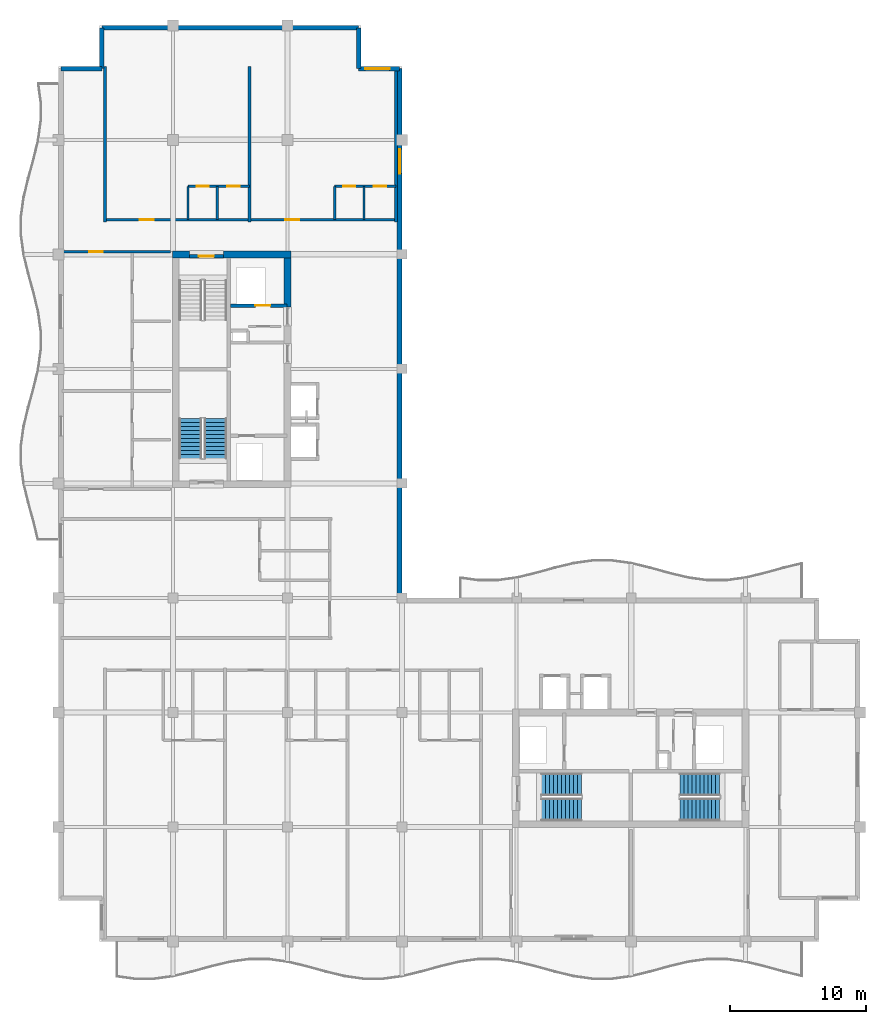
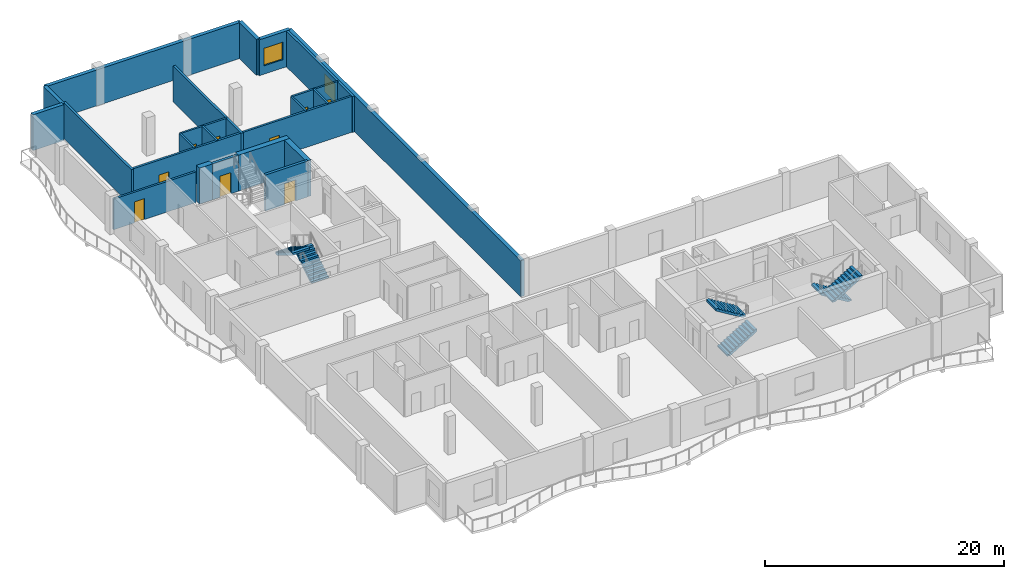
# One storey, part 6 of 10: 22 walls, 9 doors, 6 stair flights, 2 windows, 11 openings, 3 elements without a shape of their own.
"""IFC4 building model written with IfcOpenShell, lengths in metres."""

from ifc_helpers import new_model, si_unit, direction, frame, frame_2d, origin, place, context, subcontext, project, spatial, polyline, rectangle, outline, extrude, material, layer, layer_set, type_object, element, fill, aggregate, save


model = new_model("IFC4")

# Units and contexts
model_context = context("Model", 3, precision=1e-05, world=origin(), true_north=direction((0.0, 1.0)))
body_context = subcontext(model_context, "Body", "Model", "MODEL_VIEW")
ifc_project = project(units=[si_unit("LENGTHUNIT", "METRE"), si_unit("AREAUNIT", "SQUARE_METRE"), si_unit("VOLUMEUNIT", "CUBIC_METRE"), si_unit("PLANEANGLEUNIT", "RADIAN"), si_unit("MASSUNIT", "GRAM", prefix="KILO")], contexts=[model_context])

# Site, building, storey
site_placement = place(None, origin())
site = spatial("IfcSite", under=ifc_project, at=site_placement, CompositionType="ELEMENT")
building_placement = place(site_placement, origin())
building = spatial("IfcBuilding", under=site, at=building_placement, Name="Koriwani Terraces Tower", CompositionType="ELEMENT")
storey_placement = place(building_placement, frame((0.0, 0.0, 304.699951171875)))
storey = spatial("IfcBuildingStorey", under=building, at=storey_placement, Name="L75", CompositionType="ELEMENT", Elevation=304.699951171875)

# Walls
ifc_material_1 = material(Name="Concrete C50/60", Category="concrete")
ifc_layer_1 = layer(ifc_material_1, 0.5, Name="Concrete C50/60")
ifc_layer_set_1 = layer_set([ifc_layer_1], Name="Concrete C50/60")
wall_type_1 = type_object("IfcWallType", Name="WALL_CORE_RC_500", PredefinedType="SHEAR", material=ifc_layer_set_1)
wall_1_placement = place(storey_placement, frame((16.75, 58.800048828125, 0.0), z_axis=(0.0, 0.0, 1.0), x_axis=(1.0, 0.0, 0.0)))
element("IfcWall", 1, at=wall_1_placement, inside=storey, type_object=wall_type_1, Name="L75 West Split Core Shear Wall N1", PredefinedType="SHEAR", context=body_context, shape_type="SweptSolid", body=[
    extrude(rectangle(XDim=1.25, YDim=0.5, at=frame_2d((0.625, 0.0))), origin(), (0.0, 0.0, 1.0), 3.670166015625),
])
wall_2_placement = place(storey_placement, frame((20.5, 58.800048828125, 0.0), z_axis=(0.0, 0.0, 1.0), x_axis=(1.0, 0.0, 0.0)))
element("IfcWall", 2, at=wall_2_placement, inside=storey, type_object=wall_type_1, Name="L75 West Split Core Shear Wall N2", PredefinedType="SHEAR", context=body_context, shape_type="SweptSolid", body=[
    extrude(rectangle(XDim=4.949951171875, YDim=0.5, at=frame_2d((2.47509765625, 0.0))), origin(), (0.0, 0.0, 1.0), 3.670166015625),
])
wall_3_placement = place(storey_placement, frame((25.199951171875, 54.949951171875, 0.0), z_axis=(0.0, 0.0, 1.0), x_axis=(0.0, 1.0, 0.0)))
element("IfcWall", 3, at=wall_3_placement, inside=storey, type_object=wall_type_1, Name="L75 West Split Core Shear Wall E3", PredefinedType="SHEAR", context=body_context, shape_type="SweptSolid", body=[
    extrude(rectangle(XDim=3.60009765625, YDim=0.5, at=frame_2d((1.800048828125, 0.0))), origin(), (0.0, 0.0, 1.0), 3.670166015625),
])

# Wall, opening, door
ifc_material_2 = material(Name="Autoclaved Cellular Concrete Blockwork", Category="masonry")
ifc_layer_2 = layer(ifc_material_2, 0.199951171875, Name="Autoclaved Cellular Concrete Blockwork")
ifc_layer_set_2 = layer_set([ifc_layer_2], Name="Autoclaved Cellular Concrete Blockwork")
wall_type_2 = type_object("IfcWallType", Name="WALL_CORRIDOR_200", PredefinedType="PARTITIONING", material=ifc_layer_set_2)
wall_4_placement = place(storey_placement, frame((8.64990234375, 59.0, 0.0), z_axis=(0.0, 0.0, 1.0), x_axis=(1.0, 0.0, 0.0)))
wall_4 = element("IfcWall", 4, at=wall_4_placement, inside=storey, type_object=wall_type_2, Name="L75 Interior Wall WRZ4-WN-L75", PredefinedType="PARTITIONING", context=body_context, shape_type="SweptSolid", body=[
    extrude(rectangle(XDim=7.9501953125, YDim=0.199951171875, at=frame_2d((3.97509765625, 0.0))), origin(), (0.0, 0.0, 1.0), 3.126953125),
])
opening_1_placement = place(wall_4_placement, frame((2.0, 0.0, 0.0)))
opening_1 = element("IfcOpeningElement", 5, at=opening_1_placement, cuts=wall_4, Name="Opening D-05", PredefinedType="OPENING", context=body_context, shape_type="SweptSolid", body=[
    extrude(rectangle(XDim=1.0, YDim=2.14990234375, at=frame_2d((0.5, 1.074951171875))), frame((0.0, 0.10986328125, 0.0), z_axis=(0.0, -1.0, 0.0), x_axis=(1.0, 0.0, 0.0)), (0.0, 0.0, 1.0), 0.219970703125),
])
ifc_material_3 = material(Name="Architectural Oak Fire Door", Category="wood")
door_type_1 = type_object("IfcDoorType", Name="DOOR_SUITE_ENTRY_1000X2150", OperationType="NOTDEFINED", PredefinedType="DOOR", material=ifc_material_3)
door_1_placement = place(opening_1_placement, origin())
door_1 = element("IfcDoor", 6, at=door_1_placement, inside=storey, type_object=door_type_1, Name="Apartment 75RW2 Entrance Door", OperationType="SINGLE_SWING_RIGHT", OverallHeight=2.14990234375, OverallWidth=1.0, PredefinedType="DOOR", context=body_context, shape_type="SweptSolid", body=[
    extrude(rectangle(XDim=1.0, YDim=2.14990234375, at=frame_2d((0.5, 1.074951171875))), frame((0.0, 0.02490234375, 0.0), z_axis=(0.0, -1.0, 0.0), x_axis=(1.0, 0.0, 0.0)), (0.0, 0.0, 1.0), 0.050048828125),
])
fill(opening_1, door_1)

# Wall, openings, doors
wall_5_placement = place(storey_placement, frame((11.800048828125, 61.35009765625, 0.0), z_axis=(0.0, 0.0, 1.0), x_axis=(1.0, 0.0, 0.0)))
wall_5 = element("IfcWall", 7, at=wall_5_placement, inside=storey, type_object=wall_type_2, Name="L75 Interior Wall WRCOR-L75-NTS-0", PredefinedType="PARTITIONING", context=body_context, shape_type="SweptSolid", body=[
    extrude(rectangle(XDim=21.349853515625, YDim=0.199951171875, at=frame_2d((10.6748046875, 0.0))), origin(), (0.0, 0.0, 1.0), 3.670166015625),
])
opening_2_placement = place(wall_5_placement, frame((2.570068359375, 0.0, 0.0)))
opening_2 = element("IfcOpeningElement", 8, at=opening_2_placement, cuts=wall_5, Name="Opening D-05", PredefinedType="OPENING", context=body_context, shape_type="SweptSolid", body=[
    extrude(rectangle(XDim=1.0, YDim=2.14990234375, at=frame_2d((0.5, 1.074951171875))), frame((0.0, 0.10986328125, 0.0), z_axis=(0.0, -1.0, 0.0), x_axis=(1.0, 0.0, 0.0)), (0.0, 0.0, 1.0), 0.219970703125),
])
opening_3_placement = place(wall_5_placement, frame((13.2451171875, 0.0, 0.0)))
opening_3 = element("IfcOpeningElement", 9, at=opening_3_placement, cuts=wall_5, Name="Opening D-05", PredefinedType="OPENING", context=body_context, shape_type="SweptSolid", body=[
    extrude(rectangle(XDim=1.0, YDim=2.14990234375, at=frame_2d((0.5, 1.074951171875))), frame((0.0, 0.10986328125, 0.0), z_axis=(0.0, -1.0, 0.0), x_axis=(1.0, 0.0, 0.0)), (0.0, 0.0, 1.0), 0.219970703125),
])
door_2_placement = place(opening_2_placement, origin())
door_2 = element("IfcDoor", 10, at=door_2_placement, inside=storey, type_object=door_type_1, Name="Apartment 75NTS1 Entrance Door", OperationType="SINGLE_SWING_LEFT", OverallHeight=2.14990234375, OverallWidth=1.0, PredefinedType="DOOR", context=body_context, shape_type="SweptSolid", body=[
    extrude(rectangle(XDim=1.0, YDim=2.14990234375, at=frame_2d((0.5, 1.074951171875))), frame((0.0, 0.02490234375, 0.0), z_axis=(0.0, -1.0, 0.0), x_axis=(1.0, 0.0, 0.0)), (0.0, 0.0, 1.0), 0.050048828125),
])
fill(opening_2, door_2)
door_3_placement = place(opening_3_placement, origin())
door_3 = element("IfcDoor", 11, at=door_3_placement, inside=storey, type_object=door_type_1, Name="Apartment 75NTS2 Entrance Door", OperationType="SINGLE_SWING_RIGHT", OverallHeight=2.14990234375, OverallWidth=1.0, PredefinedType="DOOR", context=body_context, shape_type="SweptSolid", body=[
    extrude(rectangle(XDim=1.0, YDim=2.14990234375, at=frame_2d((0.5, 1.074951171875))), frame((0.0, 0.02490234375, 0.0), z_axis=(0.0, -1.0, 0.0), x_axis=(1.0, 0.0, 0.0)), (0.0, 0.0, 1.0), 0.050048828125),
])
fill(opening_3, door_3)

# Walls
ifc_layer_3 = layer(ifc_material_2, 0.219970703125, Name="Autoclaved Cellular Concrete Blockwork")
ifc_layer_set_3 = layer_set([ifc_layer_3], Name="Autoclaved Cellular Concrete Blockwork")
wall_type_3 = type_object("IfcWallType", Name="WALL_DEMISING_220", PredefinedType="PARTITIONING", material=ifc_layer_set_3)
for number, where, z_axis, x_axis, name in (
    (12, (11.800048828125, 61.199951171875, 0.0), (0.0, 0.0, 1.0), (0.0, 1.0, 0.0), "L75 Interior Wall WRDEM-L75-NTS-0"),
    (13, (22.39990234375, 61.199951171875, 0.0), (0.0, 0.0, 1.0), (0.0, 1.0, 0.0), "L75 Interior Wall WRDEM-L75-NTS-1"),
    (14, (33.14990234375, 61.199951171875, 0.0), (0.0, 0.0, 1.0), (0.0, 1.0, 0.0), "L75 Interior Wall WRDEME-L75-NTS"),
):
    element("IfcWall", number, at=place(storey_placement, frame(where, z_axis=z_axis, x_axis=x_axis)), inside=storey, type_object=wall_type_3, Name=name, PredefinedType="PARTITIONING", context=body_context, shape_type="SweptSolid", body=[
        extrude(rectangle(XDim=11.380126953125, YDim=0.219970703125, at=frame_2d((5.68994140625, 0.0))), origin(), (0.0, 0.0, 1.0), 3.670166015625),
    ])
ifc_layer_4 = layer(ifc_material_1, 0.35009765625, Name="Concrete C50/60")
ifc_layer_set_4 = layer_set([ifc_layer_4], Name="Concrete C50/60")
wall_type_4 = type_object("IfcWallType", Name="WALL_EXT_BRUTALIST_350", PredefinedType="STANDARD", material=ifc_layer_set_4)
for number, where, z_axis, x_axis, name in (
    (15, (8.574951171875, 72.425048828125, 0.0), (0.0, 0.0, 1.0), (1.0, 0.0, 0.0), "L75 Fair-Faced Brutalist Exterior Wall (N3)"),
    (16, (11.574951171875, 72.425048828125, 0.0), (0.0, 0.0, 1.0), (0.0, 1.0, 0.0), "L75 Fair-Faced Brutalist Exterior Wall (N4)"),
):
    element("IfcWall", number, at=place(storey_placement, frame(where, z_axis=z_axis, x_axis=x_axis)), inside=storey, type_object=wall_type_4, Name=name, PredefinedType="STANDARD", context=body_context, shape_type="SweptSolid", body=[
        extrude(rectangle(XDim=3.0, YDim=0.35009765625, at=frame_2d((1.5, 0.0))), origin(), (0.0, 0.0, 1.0), 3.670166015625),
    ])
wall_6_placement = place(storey_placement, frame((11.574951171875, 75.425048828125, 0.0), z_axis=(0.0, 0.0, 1.0), x_axis=(1.0, 0.0, 0.0)))
element("IfcWall", 17, at=wall_6_placement, inside=storey, type_object=wall_type_4, Name="L75 Fair-Faced Brutalist Exterior Wall (N_TIP)", PredefinedType="STANDARD", context=body_context, shape_type="SweptSolid", body=[
    extrude(rectangle(XDim=18.85009765625, YDim=0.35009765625, at=frame_2d((9.425048828125, 0.0))), origin(), (0.0, 0.0, 1.0), 3.670166015625),
])
wall_7_placement = place(storey_placement, frame((30.425048828125, 75.425048828125, 0.0), z_axis=(0.0, 0.0, 1.0), x_axis=(0.0, -1.0, 0.0)))
element("IfcWall", 18, at=wall_7_placement, inside=storey, type_object=wall_type_4, Name="L75 Fair-Faced Brutalist Exterior Wall (N6)", PredefinedType="STANDARD", context=body_context, shape_type="SweptSolid", body=[
    extrude(rectangle(XDim=3.0, YDim=0.35009765625, at=frame_2d((1.5, 0.0))), origin(), (0.0, 0.0, 1.0), 3.670166015625),
])

# Wall, opening, window
wall_8_placement = place(storey_placement, frame((30.425048828125, 72.425048828125, 0.0), z_axis=(0.0, 0.0, 1.0), x_axis=(1.0, 0.0, 0.0)))
wall_8 = element("IfcWall", 19, at=wall_8_placement, inside=storey, type_object=wall_type_4, Name="L75 Fair-Faced Brutalist Exterior Wall (N7)", PredefinedType="STANDARD", context=body_context, shape_type="SweptSolid", body=[
    extrude(rectangle(XDim=3.0, YDim=0.35009765625, at=frame_2d((1.5, 0.0))), origin(), (0.0, 0.0, 1.0), 3.670166015625),
])
opening_4_placement = place(wall_8_placement, frame((0.472412109375, 0.0, 0.85009765625)))
opening_4 = element("IfcOpeningElement", 20, at=opening_4_placement, cuts=wall_8, Name="Opening W-04", PredefinedType="OPENING", context=body_context, shape_type="SweptSolid", body=[
    extrude(rectangle(XDim=1.800048828125, YDim=1.800048828125, at=frame_2d((0.89990234375, 0.89990234375))), frame((0.0, 0.18505859375, 0.0), z_axis=(0.0, -1.0, 0.0), x_axis=(1.0, 0.0, 0.0)), (0.0, 0.0, 1.0), 0.3701171875),
])
ifc_material_4 = material(Name="Tempered Laminated Low-E Glass", Category="glass")
window_type = type_object("IfcWindowType", Name="WIN_RES_BED_1800X1800", PartitioningType="DOUBLE_PANEL_VERTICAL", PredefinedType="WINDOW", material=ifc_material_4)
window_1_placement = place(opening_4_placement, origin())
window_1 = element("IfcWindow", 21, at=window_1_placement, inside=storey, type_object=window_type, Name="L75 Exterior Window (N7-R46)", OverallHeight=1.800048828125, OverallWidth=1.800048828125, PartitioningType="SINGLE_PANEL", PredefinedType="WINDOW", context=body_context, shape_type="SweptSolid", body=[
    extrude(rectangle(XDim=1.800048828125, YDim=1.800048828125, at=frame_2d((0.89990234375, 0.89990234375))), frame((0.0, 0.030029296875, 0.0), z_axis=(0.0, -1.0, 0.0), x_axis=(1.0, 0.0, 0.0)), (0.0, 0.0, 1.0), 0.06005859375),
])
fill(opening_4, window_1)

wall_9_placement = place(storey_placement, frame((33.425048828125, 72.425048828125, 0.0), z_axis=(0.0, 0.0, 1.0), x_axis=(0.0, -1.0, 0.0)))
wall_9 = element("IfcWall", 22, at=wall_9_placement, inside=storey, type_object=wall_type_4, Name="L75 Fair-Faced Brutalist Exterior Wall (NW_IN)", PredefinedType="STANDARD", context=body_context, shape_type="SweptSolid", body=[
    extrude(rectangle(XDim=39.0, YDim=0.35009765625, at=frame_2d((19.5, 0.0))), origin(), (0.0, 0.0, 1.0), 3.670166015625),
])
opening_5_placement = place(wall_9_placement, frame((5.89990234375, 0.0, 0.85009765625)))
opening_5 = element("IfcOpeningElement", 23, at=opening_5_placement, cuts=wall_9, Name="Opening W-04", PredefinedType="OPENING", context=body_context, shape_type="SweptSolid", body=[
    extrude(rectangle(XDim=1.800048828125, YDim=1.800048828125, at=frame_2d((0.89990234375, 0.89990234375))), frame((0.0, 0.18505859375, 0.0), z_axis=(0.0, -1.0, 0.0), x_axis=(1.0, 0.0, 0.0)), (0.0, 0.0, 1.0), 0.3701171875),
])
window_2_placement = place(opening_5_placement, origin())
window_2 = element("IfcWindow", 24, at=window_2_placement, inside=storey, type_object=window_type, Name="L75 Exterior Window (NW_IN-R46)", OverallHeight=1.800048828125, OverallWidth=1.800048828125, PartitioningType="SINGLE_PANEL", PredefinedType="WINDOW", context=body_context, shape_type="SweptSolid", body=[
    extrude(rectangle(XDim=1.800048828125, YDim=1.800048828125, at=frame_2d((0.89990234375, 0.89990234375))), frame((0.0, 0.030029296875, 0.0), z_axis=(0.0, -1.0, 0.0), x_axis=(1.0, 0.0, 0.0)), (0.0, 0.0, 1.0), 0.06005859375),
])
fill(opening_5, window_2)

# Wall, openings, doors
ifc_material_5 = material(Name="Fire-Rated Acoustic Gypsum Partition", Category="masonry")
ifc_layer_5 = layer(ifc_material_5, 0.179931640625, Name="Fire-Rated Acoustic Gypsum Partition")
ifc_layer_set_5 = layer_set([ifc_layer_5], Name="Fire-Rated Acoustic Gypsum Partition")
wall_type_5 = type_object("IfcWallType", Name="WALL_PLUMBING_180", PredefinedType="PLUMBINGWALL", material=ifc_layer_set_5)
wall_10_placement = place(storey_placement, frame((17.89990234375, 63.800048828125, 0.0), z_axis=(0.0, 0.0, 1.0), x_axis=(1.0, 0.0, 0.0)))
wall_10 = element("IfcWall", 25, at=wall_10_placement, inside=storey, type_object=wall_type_5, Name="L75 Interior Wall WRSVC-L75-NTS-0", PredefinedType="PLUMBINGWALL", context=body_context, shape_type="SweptSolid", body=[
    extrude(rectangle(XDim=4.5, YDim=0.179931640625, at=frame_2d((2.25, 0.0))), origin(), (0.0, 0.0, 1.0), 3.670166015625),
])
opening_6_placement = place(wall_10_placement, frame((0.6298828125, 0.0, 0.0)))
opening_6 = element("IfcOpeningElement", 26, at=opening_6_placement, cuts=wall_10, Name="Opening D-07", PredefinedType="OPENING", context=body_context, shape_type="SweptSolid", body=[
    extrude(rectangle(XDim=0.89990234375, YDim=2.10009765625, at=frame_2d((0.449951171875, 1.050048828125))), frame((0.0, 0.10009765625, 0.0), z_axis=(0.0, -1.0, 0.0), x_axis=(1.0, 0.0, 0.0)), (0.0, 0.0, 1.0), 0.199951171875),
])
opening_7_placement = place(wall_10_placement, frame((2.8701171875, 0.0, 0.0)))
opening_7 = element("IfcOpeningElement", 27, at=opening_7_placement, cuts=wall_10, Name="Opening D-06", PredefinedType="OPENING", context=body_context, shape_type="SweptSolid", body=[
    extrude(rectangle(XDim=0.919921875, YDim=2.10009765625, at=frame_2d((0.4599609375, 1.050048828125))), frame((0.0, 0.10009765625, 0.0), z_axis=(0.0, -1.0, 0.0), x_axis=(1.0, 0.0, 0.0)), (0.0, 0.0, 1.0), 0.199951171875),
])
door_type_2 = type_object("IfcDoorType", Name="DOOR_BATH_INT_900X2100", OperationType="NOTDEFINED", PredefinedType="DOOR", material=ifc_material_3)
door_4_placement = place(opening_6_placement, origin())
door_4 = element("IfcDoor", 28, at=door_4_placement, inside=storey, type_object=door_type_2, Name="Apartment 75NTS1 Bathroom Door", OperationType="SINGLE_SWING_RIGHT", OverallHeight=2.10009765625, OverallWidth=0.89990234375, PredefinedType="DOOR", context=body_context, shape_type="SweptSolid", body=[
    extrude(rectangle(XDim=0.89990234375, YDim=2.10009765625, at=frame_2d((0.449951171875, 1.050048828125))), frame((0.0, 0.02490234375, 0.0), z_axis=(0.0, -1.0, 0.0), x_axis=(1.0, 0.0, 0.0)), (0.0, 0.0, 1.0), 0.050048828125),
])
fill(opening_6, door_4)
door_type_3 = type_object("IfcDoorType", Name="DOOR_ROOM_INT_920X2100", OperationType="NOTDEFINED", PredefinedType="DOOR", material=ifc_material_3)
door_5_placement = place(opening_7_placement, origin())
door_5 = element("IfcDoor", 29, at=door_5_placement, inside=storey, type_object=door_type_3, Name="Apartment 75NTS1 Kitchen Door", OperationType="SINGLE_SWING_LEFT", OverallHeight=2.10009765625, OverallWidth=0.919921875, PredefinedType="DOOR", context=body_context, shape_type="SweptSolid", body=[
    extrude(rectangle(XDim=0.919921875, YDim=2.10009765625, at=frame_2d((0.4599609375, 1.050048828125))), frame((0.0, 0.02490234375, 0.0), z_axis=(0.0, -1.0, 0.0), x_axis=(1.0, 0.0, 0.0)), (0.0, 0.0, 1.0), 0.050048828125),
])
fill(opening_7, door_5)

# Walls
for number, where, z_axis, x_axis, name in (
    (30, (17.89990234375, 61.35009765625, 0.0), (0.0, 0.0, 1.0), (0.0, 1.0, 0.0), "L75 Interior Wall WRSVCS-L75-NTS-0"),
    (31, (20.06005859375, 61.35009765625, 0.0), (0.0, 0.0, 1.0), (0.0, 1.0, 0.0), "L75 Interior Wall WRSVCM-L75-NTS-0"),
):
    element("IfcWall", number, at=place(storey_placement, frame(where, z_axis=z_axis, x_axis=x_axis)), inside=storey, type_object=wall_type_5, Name=name, PredefinedType="PLUMBINGWALL", context=body_context, shape_type="SweptSolid", body=[
        extrude(rectangle(XDim=2.449951171875, YDim=0.179931640625, at=frame_2d((1.22509765625, 0.0))), origin(), (0.0, 0.0, 1.0), 3.670166015625),
    ])

# Wall, openings, doors
wall_11_placement = place(storey_placement, frame((28.64990234375, 63.800048828125, 0.0), z_axis=(0.0, 0.0, 1.0), x_axis=(1.0, 0.0, 0.0)))
wall_11 = element("IfcWall", 32, at=wall_11_placement, inside=storey, type_object=wall_type_5, Name="L75 Interior Wall WRSVC-L75-NTS-1", PredefinedType="PLUMBINGWALL", context=body_context, shape_type="SweptSolid", body=[
    extrude(rectangle(XDim=4.5, YDim=0.179931640625, at=frame_2d((2.25, 0.0))), origin(), (0.0, 0.0, 1.0), 3.670166015625),
])
opening_8_placement = place(wall_11_placement, frame((0.6298828125, 0.0, 0.0)))
opening_8 = element("IfcOpeningElement", 33, at=opening_8_placement, cuts=wall_11, Name="Opening D-07", PredefinedType="OPENING", context=body_context, shape_type="SweptSolid", body=[
    extrude(rectangle(XDim=0.89990234375, YDim=2.10009765625, at=frame_2d((0.449951171875, 1.050048828125))), frame((0.0, 0.10009765625, 0.0), z_axis=(0.0, -1.0, 0.0), x_axis=(1.0, 0.0, 0.0)), (0.0, 0.0, 1.0), 0.199951171875),
])
opening_9_placement = place(wall_11_placement, frame((2.8701171875, 0.0, 0.0)))
opening_9 = element("IfcOpeningElement", 34, at=opening_9_placement, cuts=wall_11, Name="Opening D-06", PredefinedType="OPENING", context=body_context, shape_type="SweptSolid", body=[
    extrude(rectangle(XDim=0.919921875, YDim=2.10009765625, at=frame_2d((0.4599609375, 1.050048828125))), frame((0.0, 0.10009765625, 0.0), z_axis=(0.0, -1.0, 0.0), x_axis=(1.0, 0.0, 0.0)), (0.0, 0.0, 1.0), 0.199951171875),
])
door_6_placement = place(opening_8_placement, origin())
door_6 = element("IfcDoor", 35, at=door_6_placement, inside=storey, type_object=door_type_2, Name="Apartment 75NTS2 Bathroom Door", OperationType="SINGLE_SWING_LEFT", OverallHeight=2.10009765625, OverallWidth=0.89990234375, PredefinedType="DOOR", context=body_context, shape_type="SweptSolid", body=[
    extrude(rectangle(XDim=0.89990234375, YDim=2.10009765625, at=frame_2d((0.449951171875, 1.050048828125))), frame((0.0, 0.02490234375, 0.0), z_axis=(0.0, -1.0, 0.0), x_axis=(1.0, 0.0, 0.0)), (0.0, 0.0, 1.0), 0.050048828125),
])
fill(opening_8, door_6)
door_7_placement = place(opening_9_placement, origin())
door_7 = element("IfcDoor", 36, at=door_7_placement, inside=storey, type_object=door_type_3, Name="Apartment 75NTS2 Kitchen Door", OperationType="SINGLE_SWING_RIGHT", OverallHeight=2.10009765625, OverallWidth=0.919921875, PredefinedType="DOOR", context=body_context, shape_type="SweptSolid", body=[
    extrude(rectangle(XDim=0.919921875, YDim=2.10009765625, at=frame_2d((0.4599609375, 1.050048828125))), frame((0.0, 0.02490234375, 0.0), z_axis=(0.0, -1.0, 0.0), x_axis=(1.0, 0.0, 0.0)), (0.0, 0.0, 1.0), 0.050048828125),
])
fill(opening_9, door_7)

# Walls
for number, where, z_axis, x_axis, name in (
    (37, (28.64990234375, 61.35009765625, 0.0), (0.0, 0.0, 1.0), (0.0, 1.0, 0.0), "L75 Interior Wall WRSVCS-L75-NTS-1"),
    (38, (30.81005859375, 61.35009765625, 0.0), (0.0, 0.0, 1.0), (0.0, 1.0, 0.0), "L75 Interior Wall WRSVCM-L75-NTS-1"),
):
    element("IfcWall", number, at=place(storey_placement, frame(where, z_axis=z_axis, x_axis=x_axis)), inside=storey, type_object=wall_type_5, Name=name, PredefinedType="PLUMBINGWALL", context=body_context, shape_type="SweptSolid", body=[
        extrude(rectangle(XDim=2.449951171875, YDim=0.179931640625, at=frame_2d((1.22509765625, 0.0))), origin(), (0.0, 0.0, 1.0), 3.670166015625),
    ])

# Wall, opening, door
ifc_material_6 = material(Name="Concrete C40/50", Category="concrete")
ifc_layer_6 = layer(ifc_material_6, 0.25, Name="Concrete C40/50")
ifc_layer_set_6 = layer_set([ifc_layer_6], Name="Concrete C40/50")
wall_type_6 = type_object("IfcWallType", Name="WALL_SHAFT_RATED_250", PredefinedType="SOLIDWALL", material=ifc_layer_set_6)
wall_12_placement = place(storey_placement, frame((18.0, 58.675048828125, 0.0), z_axis=(0.0, 0.0, 1.0), x_axis=(1.0, 0.0, 0.0)))
wall_12 = element("IfcWall", 39, at=wall_12_placement, inside=storey, type_object=wall_type_6, Name="L75 Interior Wall WIN-CW-L75-STN", PredefinedType="SOLIDWALL", context=body_context, shape_type="SweptSolid", body=[
    extrude(rectangle(XDim=2.5, YDim=0.25, at=frame_2d((1.25, 0.0))), origin(), (0.0, 0.0, 1.0), 3.670166015625),
])
opening_10_placement = place(wall_12_placement, frame((0.699951171875, 0.0, 0.0)))
opening_10 = element("IfcOpeningElement", 40, at=opening_10_placement, cuts=wall_12, Name="Opening D-03", PredefinedType="OPENING", context=body_context, shape_type="SweptSolid", body=[
    extrude(rectangle(XDim=1.10009765625, YDim=2.14990234375, at=frame_2d((0.550048828125, 1.074951171875))), frame((0.0, 0.135009765625, 0.0), z_axis=(0.0, -1.0, 0.0), x_axis=(1.0, 0.0, 0.0)), (0.0, 0.0, 1.0), 0.27001953125),
])
ifc_material_7 = material(Name="Steel ASTM A572 Grade 50", Category="steel")
door_type_4 = type_object("IfcDoorType", Name="DOOR_STAIR_FIRE_1100X2150", OperationType="NOTDEFINED", PredefinedType="DOOR", material=ifc_material_7)
door_8_placement = place(opening_10_placement, origin())
door_8 = element("IfcDoor", 41, at=door_8_placement, inside=storey, type_object=door_type_4, Name="L75 Exit Stair ST-W2 Door", OperationType="SINGLE_SWING_RIGHT", OverallHeight=2.14990234375, OverallWidth=1.10009765625, PredefinedType="DOOR", context=body_context, shape_type="SweptSolid", body=[
    extrude(rectangle(XDim=1.10009765625, YDim=2.14990234375, at=frame_2d((0.550048828125, 1.074951171875))), frame((0.0, 0.02490234375, 0.0), z_axis=(0.0, -1.0, 0.0), x_axis=(1.0, 0.0, 0.0)), (0.0, 0.0, 1.0), 0.050048828125),
])
fill(opening_10, door_8)

wall_13_placement = place(storey_placement, frame((21.0, 55.050048828125, 0.0), z_axis=(0.0, 0.0, 1.0), x_axis=(1.0, 0.0, 0.0)))
wall_13 = element("IfcWall", 42, at=wall_13_placement, inside=storey, type_object=wall_type_6, Name="L75 Interior Wall WIN-CW-L75-SE", PredefinedType="SOLIDWALL", context=body_context, shape_type="SweptSolid", body=[
    extrude(rectangle(XDim=4.14990234375, YDim=0.25, at=frame_2d((2.074951171875, 0.0))), origin(), (0.0, 0.0, 1.0), 3.670166015625),
])
opening_11_placement = place(wall_13_placement, frame((1.85009765625, 0.0, 0.0)))
opening_11 = element("IfcOpeningElement", 43, at=opening_11_placement, cuts=wall_13, Name="Opening LD-01", PredefinedType="OPENING", context=body_context, shape_type="SweptSolid", body=[
    extrude(rectangle(XDim=1.10009765625, YDim=2.14990234375, at=frame_2d((0.550048828125, 1.074951171875))), frame((0.0, 0.135009765625, 0.0), z_axis=(0.0, -1.0, 0.0), x_axis=(1.0, 0.0, 0.0)), (0.0, 0.0, 1.0), 0.27001953125),
])
door_type_5 = type_object("IfcDoorType", Name="DOOR_LIFT_LANDING_1100X2200", OperationType="NOTDEFINED", PredefinedType="DOOR", material=ifc_material_7)
door_9_placement = place(opening_11_placement, origin())
door_9 = element("IfcDoor", 44, at=door_9_placement, inside=storey, type_object=door_type_5, Name="L75 Goods Lift SE-01 Landing Door", OperationType="SLIDING_TO_LEFT", OverallHeight=2.14990234375, OverallWidth=1.10009765625, PredefinedType="DOOR", context=body_context, shape_type="SweptSolid", body=[
    extrude(rectangle(XDim=1.10009765625, YDim=2.14990234375, at=frame_2d((0.550048828125, 1.074951171875))), frame((0.0, 0.02490234375, 0.0), z_axis=(0.0, -1.0, 0.0), x_axis=(1.0, 0.0, 0.0)), (0.0, 0.0, 1.0), 0.050048828125),
])
fill(opening_11, door_9)

# Stair, stair flights
stair_type = type_object("IfcStairType", Name="STAIR_CORE_DOGLEG_1650", PredefinedType="TWO_STRAIGHT_RUN_STAIR", material=ifc_material_6)
stair_1_placement = place(storey_placement, origin())
stair_1 = element("IfcStair", 45, at=stair_1_placement, inside=storey, type_object=stair_type, Name="L75 West Core Exit Stair 1", PredefinedType="HALF_TURN_STAIR")
stair_flight_type = type_object("IfcStairFlightType", Name="STAIR_FLIGHT_RC_1650", PredefinedType="STRAIGHT", material=ifc_material_6)
stair_flight_1_placement = place(storey_placement, frame((19.925048828125, 43.85009765625, 0.0), z_axis=(0.0, 0.0, 1.0), x_axis=(0.0, 1.0, 0.0)))
stair_flight_1 = element("IfcStairFlight", 46, at=stair_flight_1_placement, type_object=stair_flight_type, Name="ST-W1 flight 1", NumberOfRisers=11, NumberOfTreads=10, PredefinedType="STRAIGHT", RiserHeight=0.177272727, TreadLength=0.29, context=body_context, shape_type="SweptSolid", body=[
    extrude(outline(polyline([(0.0, 0.0), (0.0, 0.17724609375), (0.2900390625, 0.17724609375), (0.2900390625, 0.3544921875), (0.580078125, 0.3544921875), (0.580078125, 0.53173828125), (0.8701171875, 0.53173828125), (0.8701171875, 0.708984375), (1.159912109375, 0.708984375), (1.159912109375, 0.886474609375), (1.449951171875, 0.886474609375), (1.449951171875, 1.063720703125), (1.739990234375, 1.063720703125), (1.739990234375, 1.240966796875), (2.030029296875, 1.240966796875), (2.030029296875, 1.418212890625), (2.320068359375, 1.418212890625), (2.320068359375, 1.595458984375), (2.610107421875, 1.595458984375), (2.610107421875, 1.772705078125), (2.89990234375, 1.772705078125), (2.89990234375, 1.949951171875), (2.89990234375, 1.561767578125), (0.344970703125, 0.0), (0.0, 0.0)])), frame((0.0, 0.824951171875, 0.0), z_axis=(0.0, -1.0, 0.0), x_axis=(1.0, 0.0, 0.0)), (0.0, 0.0, 1.0), 1.64990234375),
])
stair_flight_2_placement = place(storey_placement, frame((18.074951171875, 46.75, 1.949951171875), z_axis=(0.0, 0.0, 1.0), x_axis=(0.0, -1.0, 0.0)))
stair_flight_2 = element("IfcStairFlight", 47, at=stair_flight_2_placement, type_object=stair_flight_type, Name="ST-W1 flight 2", NumberOfRisers=11, NumberOfTreads=10, PredefinedType="STRAIGHT", RiserHeight=0.177272727, TreadLength=0.29, context=body_context, shape_type="SweptSolid", body=[
    extrude(outline(polyline([(0.0, 0.0), (0.0, 0.17724609375), (0.2900390625, 0.17724609375), (0.2900390625, 0.3544921875), (0.580078125, 0.3544921875), (0.580078125, 0.53173828125), (0.8701171875, 0.53173828125), (0.8701171875, 0.708984375), (1.159912109375, 0.708984375), (1.159912109375, 0.886474609375), (1.449951171875, 0.886474609375), (1.449951171875, 1.063720703125), (1.739990234375, 1.063720703125), (1.739990234375, 1.240966796875), (2.030029296875, 1.240966796875), (2.030029296875, 1.418212890625), (2.320068359375, 1.418212890625), (2.320068359375, 1.595458984375), (2.610107421875, 1.595458984375), (2.610107421875, 1.772705078125), (2.89990234375, 1.772705078125), (2.89990234375, 1.949951171875), (2.89990234375, 1.561767578125), (0.344970703125, 0.0), (0.0, 0.0)])), frame((0.0, 0.824951171875, 0.0), z_axis=(0.0, -1.0, 0.0), x_axis=(1.0, 0.0, 0.0)), (0.0, 0.0, 1.0), 1.64990234375),
])
aggregate(stair_1, [stair_flight_1, stair_flight_2])

stair_2_placement = place(storey_placement, origin())
stair_2 = element("IfcStair", 48, at=stair_2_placement, inside=storey, type_object=stair_type, Name="L75 East Core Exit Stair 1", PredefinedType="HALF_TURN_STAIR")
stair_flight_3_placement = place(storey_placement, frame((43.85009765625, 18.074951171875, 0.0), z_axis=(0.0, 0.0, 1.0), x_axis=(1.0, 0.0, 0.0)))
stair_flight_3 = element("IfcStairFlight", 49, at=stair_flight_3_placement, type_object=stair_flight_type, Name="ST-E1 flight 1", NumberOfRisers=11, NumberOfTreads=10, PredefinedType="STRAIGHT", RiserHeight=0.177272727, TreadLength=0.29, context=body_context, shape_type="SweptSolid", body=[
    extrude(outline(polyline([(0.0, 0.0), (0.0, 0.17724609375), (0.2900390625, 0.17724609375), (0.2900390625, 0.3544921875), (0.580078125, 0.3544921875), (0.580078125, 0.53173828125), (0.8701171875, 0.53173828125), (0.8701171875, 0.708984375), (1.159912109375, 0.708984375), (1.159912109375, 0.886474609375), (1.449951171875, 0.886474609375), (1.449951171875, 1.063720703125), (1.739990234375, 1.063720703125), (1.739990234375, 1.240966796875), (2.030029296875, 1.240966796875), (2.030029296875, 1.418212890625), (2.320068359375, 1.418212890625), (2.320068359375, 1.595458984375), (2.610107421875, 1.595458984375), (2.610107421875, 1.772705078125), (2.89990234375, 1.772705078125), (2.89990234375, 1.949951171875), (2.89990234375, 1.561767578125), (0.344970703125, 0.0), (0.0, 0.0)])), frame((0.0, 0.824951171875, 0.0), z_axis=(0.0, -1.0, 0.0), x_axis=(1.0, 0.0, 0.0)), (0.0, 0.0, 1.0), 1.64990234375),
])
stair_flight_4_placement = place(storey_placement, frame((46.75, 19.925048828125, 1.949951171875), z_axis=(0.0, 0.0, 1.0), x_axis=(-1.0, 0.0, 0.0)))
stair_flight_4 = element("IfcStairFlight", 50, at=stair_flight_4_placement, type_object=stair_flight_type, Name="ST-E1 flight 2", NumberOfRisers=11, NumberOfTreads=10, PredefinedType="STRAIGHT", RiserHeight=0.177272727, TreadLength=0.29, context=body_context, shape_type="SweptSolid", body=[
    extrude(outline(polyline([(0.0, 0.0), (0.0, 0.17724609375), (0.2900390625, 0.17724609375), (0.2900390625, 0.3544921875), (0.580078125, 0.3544921875), (0.580078125, 0.53173828125), (0.8701171875, 0.53173828125), (0.8701171875, 0.708984375), (1.159912109375, 0.708984375), (1.159912109375, 0.886474609375), (1.449951171875, 0.886474609375), (1.449951171875, 1.063720703125), (1.739990234375, 1.063720703125), (1.739990234375, 1.240966796875), (2.030029296875, 1.240966796875), (2.030029296875, 1.418212890625), (2.320068359375, 1.418212890625), (2.320068359375, 1.595458984375), (2.610107421875, 1.595458984375), (2.610107421875, 1.772705078125), (2.89990234375, 1.772705078125), (2.89990234375, 1.949951171875), (2.89990234375, 1.561767578125), (0.344970703125, 0.0), (0.0, 0.0)])), frame((0.0, 0.824951171875, 0.0), z_axis=(0.0, -1.0, 0.0), x_axis=(1.0, 0.0, 0.0)), (0.0, 0.0, 1.0), 1.64990234375),
])
aggregate(stair_2, [stair_flight_3, stair_flight_4])

stair_3_placement = place(storey_placement, origin())
stair_3 = element("IfcStair", 51, at=stair_3_placement, inside=storey, type_object=stair_type, Name="L75 East Core Exit Stair 2", PredefinedType="HALF_TURN_STAIR")
stair_flight_5_placement = place(storey_placement, frame((56.89990234375, 19.925048828125, 0.0), z_axis=(0.0, 0.0, 1.0), x_axis=(-1.0, 0.0, 0.0)))
stair_flight_5 = element("IfcStairFlight", 52, at=stair_flight_5_placement, type_object=stair_flight_type, Name="ST-E2 flight 1", NumberOfRisers=11, NumberOfTreads=10, PredefinedType="STRAIGHT", RiserHeight=0.177272727, TreadLength=0.29, context=body_context, shape_type="SweptSolid", body=[
    extrude(outline(polyline([(0.0, 0.0), (0.0, 0.17724609375), (0.2900390625, 0.17724609375), (0.2900390625, 0.3544921875), (0.580078125, 0.3544921875), (0.580078125, 0.53173828125), (0.8701171875, 0.53173828125), (0.8701171875, 0.708984375), (1.159912109375, 0.708984375), (1.159912109375, 0.886474609375), (1.449951171875, 0.886474609375), (1.449951171875, 1.063720703125), (1.739990234375, 1.063720703125), (1.739990234375, 1.240966796875), (2.030029296875, 1.240966796875), (2.030029296875, 1.418212890625), (2.320068359375, 1.418212890625), (2.320068359375, 1.595458984375), (2.610107421875, 1.595458984375), (2.610107421875, 1.772705078125), (2.89990234375, 1.772705078125), (2.89990234375, 1.949951171875), (2.89990234375, 1.561767578125), (0.344970703125, 0.0), (0.0, 0.0)])), frame((0.0, 0.824951171875, 0.0), z_axis=(0.0, -1.0, 0.0), x_axis=(1.0, 0.0, 0.0)), (0.0, 0.0, 1.0), 1.64990234375),
])
stair_flight_6_placement = place(storey_placement, frame((54.0, 18.074951171875, 1.949951171875), z_axis=(0.0, 0.0, 1.0), x_axis=(1.0, 0.0, 0.0)))
stair_flight_6 = element("IfcStairFlight", 53, at=stair_flight_6_placement, type_object=stair_flight_type, Name="ST-E2 flight 2", NumberOfRisers=11, NumberOfTreads=10, PredefinedType="STRAIGHT", RiserHeight=0.177272727, TreadLength=0.29, context=body_context, shape_type="SweptSolid", body=[
    extrude(outline(polyline([(0.0, 0.0), (0.0, 0.17724609375), (0.2900390625, 0.17724609375), (0.2900390625, 0.3544921875), (0.580078125, 0.3544921875), (0.580078125, 0.53173828125), (0.8701171875, 0.53173828125), (0.8701171875, 0.708984375), (1.159912109375, 0.708984375), (1.159912109375, 0.886474609375), (1.449951171875, 0.886474609375), (1.449951171875, 1.063720703125), (1.739990234375, 1.063720703125), (1.739990234375, 1.240966796875), (2.030029296875, 1.240966796875), (2.030029296875, 1.418212890625), (2.320068359375, 1.418212890625), (2.320068359375, 1.595458984375), (2.610107421875, 1.595458984375), (2.610107421875, 1.772705078125), (2.89990234375, 1.772705078125), (2.89990234375, 1.949951171875), (2.89990234375, 1.561767578125), (0.344970703125, 0.0), (0.0, 0.0)])), frame((0.0, 0.824951171875, 0.0), z_axis=(0.0, -1.0, 0.0), x_axis=(1.0, 0.0, 0.0)), (0.0, 0.0, 1.0), 1.64990234375),
])
aggregate(stair_3, [stair_flight_5, stair_flight_6])

save(model, "model.ifc")
